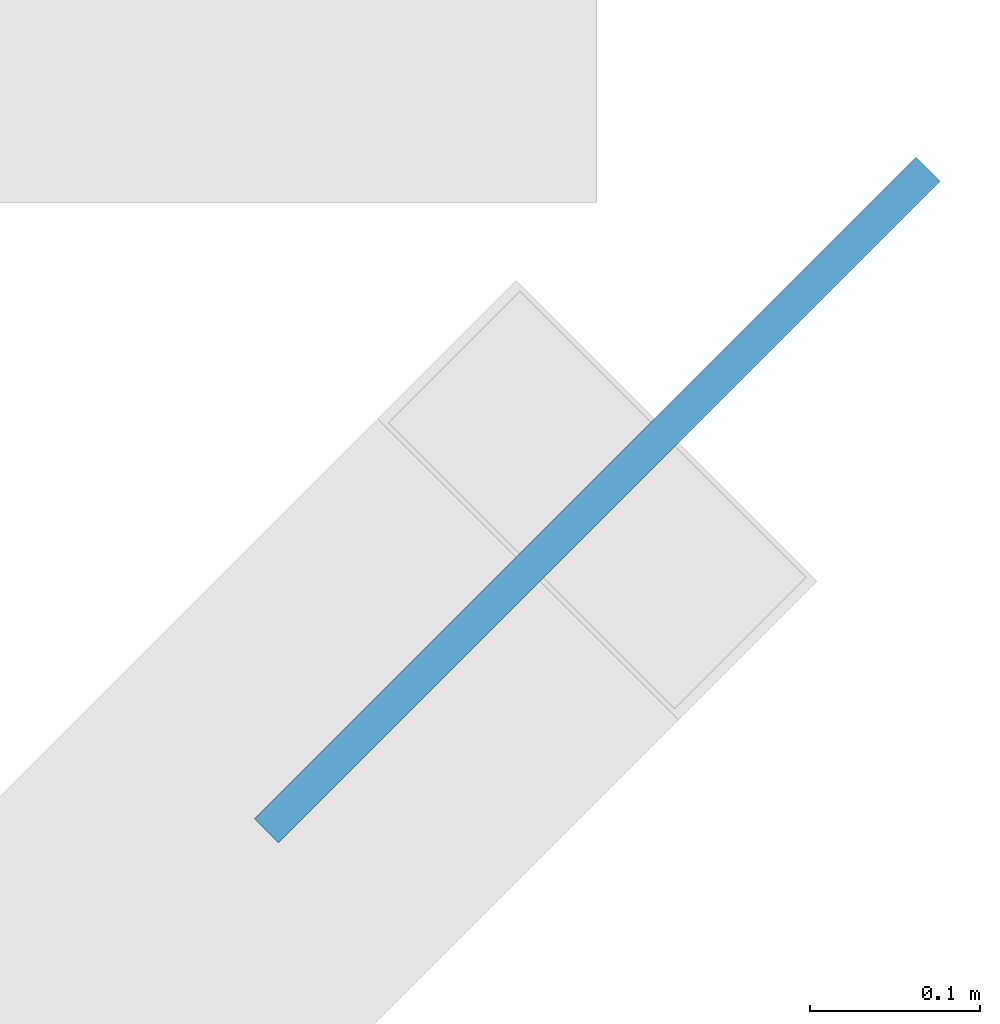
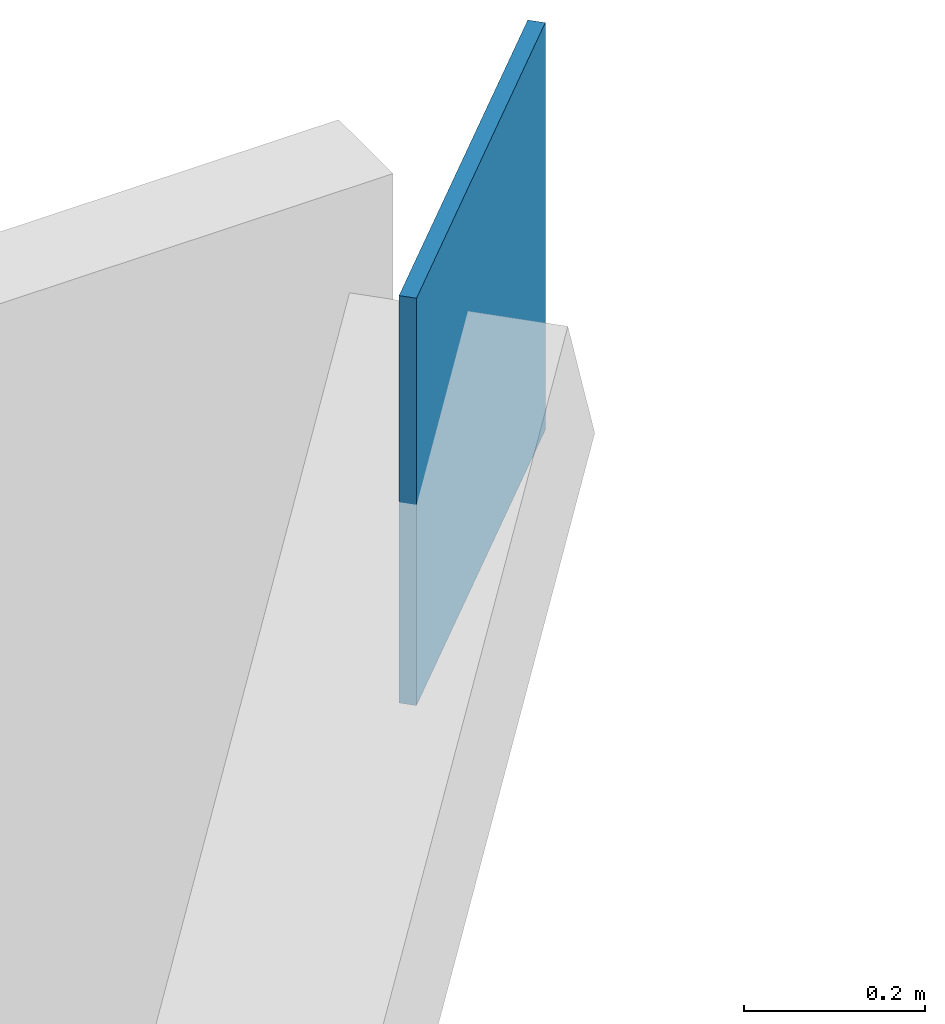
# One storey, part 70 of 85: 1 discrete accessory.
"""IFC4 building model written with IfcOpenShell, lengths in metres."""

import ifcopenshell
import ifcopenshell.guid

model = None  # the IFC model being written
_history = None  # IfcOwnerHistory: only IFC2X3 demands one
_inside = {}  # id of a spatial element -> (the spatial element, [elements in it])
_under = {}  # id of a project, library or spatial element -> (it, [spatial elements below it])
_declared = {}  # id of a project -> (the project, [libraries it declares])
_typed = {}  # id of a type object -> (the type object, [elements of that type])
_made_of = {}  # id of a material, layer set ... -> (it, [elements and type objects made of it])


def new_model(schema):
    """Start an empty IFC model of exactly this schema.

    Asked for "IFC4X3", IfcOpenShell would pick the latest addendum, in which some entities
    have other attributes; the version numbers below select the first issue.
    IFC2X3 requires an IfcOwnerHistory on every rooted entity: one is made here for all.
    """
    global model, _history
    if schema == "IFC4X3":
        model = ifcopenshell.file(schema_version=(4, 3, 0, 0))
    else:
        model = ifcopenshell.file(schema=schema)
    _inside.clear()
    _under.clear()
    _declared.clear()
    _typed.clear()
    _made_of.clear()
    _history = None
    if model.schema == "IFC2X3":
        org = make("IfcOrganization", Name="unknown")
        user = make(
            "IfcPersonAndOrganization",
            ThePerson=make("IfcPerson", FamilyName="unknown"),
            TheOrganization=org,
        )
        app = make(
            "IfcApplication",
            ApplicationDeveloper=org,
            Version="unknown",
            ApplicationFullName="unknown",
            ApplicationIdentifier="unknown",
        )
        _history = make(
            "IfcOwnerHistory",
            OwningUser=user,
            OwningApplication=app,
            ChangeAction="ADDED",
            CreationDate=0,
        )
    return model


def make(cls, **values):
    """One entity of the class cls with the attributes given. An attribute that is None is left unset."""
    return model.create_entity(
        cls, **{name: value for name, value in values.items() if value is not None}
    )


def rooted(cls, **values):
    """An entity with a GlobalId (a new one), such as an element, a storey or a relation."""
    return make(cls, GlobalId=ifcopenshell.guid.new(), OwnerHistory=_history, **values)


def si_unit(unit_type, name, prefix=None):
    """IfcSIUnit, for example si_unit("LENGTHUNIT", "METRE", prefix="MILLI")."""
    return make("IfcSIUnit", UnitType=unit_type, Prefix=prefix, Name=name)


def assignment(units):
    """IfcUnitAssignment: the units of a project."""
    return None if units is None else make("IfcUnitAssignment", Units=units)


def point(xyz):
    """IfcCartesianPoint."""
    return None if xyz is None else make("IfcCartesianPoint", Coordinates=xyz)


def direction(xyz):
    """IfcDirection."""
    return None if xyz is None else make("IfcDirection", DirectionRatios=xyz)


def frame(location, z_axis=None, x_axis=None):
    """IfcAxis2Placement3D, a coordinate frame: its origin and axes. An axis left out is left unset."""
    return make(
        "IfcAxis2Placement3D",
        Location=point(location),
        Axis=direction(z_axis),
        RefDirection=direction(x_axis),
    )


def frame_2d(location, x_axis=None):
    """IfcAxis2Placement2D, a coordinate frame in the plane: its origin and x axis."""
    return make(
        "IfcAxis2Placement2D", Location=point(location), RefDirection=direction(x_axis)
    )


def origin():
    """The frame at (0, 0, 0) with its axes left unset."""
    return frame((0.0, 0.0, 0.0))


def origin_2d():
    """The frame at (0, 0) in the plane with its x axis left unset."""
    return frame_2d((0.0, 0.0))


def place(relative_to, where):
    """IfcLocalPlacement: puts the frame where relative to a parent placement (None: the world)."""
    return make(
        "IfcLocalPlacement", PlacementRelTo=relative_to, RelativePlacement=where
    )


def context(
    kind, dimensions, precision=None, world=None, true_north=None, identifier=None
):
    """IfcGeometricRepresentationContext, for example the 3D "Model" context."""
    return make(
        "IfcGeometricRepresentationContext",
        ContextIdentifier=identifier,
        ContextType=kind,
        CoordinateSpaceDimension=dimensions,
        Precision=precision,
        WorldCoordinateSystem=world,
        TrueNorth=true_north,
    )


def subcontext(parent, identifier, kind, view, scale=None):
    """IfcGeometricRepresentationSubContext, for example "Body" below "Model"."""
    return make(
        "IfcGeometricRepresentationSubContext",
        ContextIdentifier=identifier,
        ContextType=kind,
        ParentContext=parent,
        TargetScale=scale,
        TargetView=view,
    )


def project(units=None, contexts=None):
    """IfcProject with its units and contexts."""
    return rooted(
        "IfcProject",
        Name="project",
        RepresentationContexts=contexts,
        UnitsInContext=assignment(units),
    )


def spatial(cls, under=None, at=None, **own):
    """A site, building, storey or space (cls), placed at a placement, below another one or the project."""
    s = rooted(cls, ObjectPlacement=at, **own)
    if under is not None:
        _under.setdefault(under.id(), (under, []))[1].append(s)
    return s


def profile(cls, at=None, kind="AREA", **sizes):
    """A parametric profile (cls). Its sizes go by their IFC names, for example OverallWidth=200.0."""
    return make(cls, ProfileType=kind, Position=at, **sizes)


def rectangle(**sizes):
    """IfcRectangleProfileDef."""
    return profile("IfcRectangleProfileDef", **sizes)


def extrude(swept, where, along, depth):
    """IfcExtrudedAreaSolid: the profile swept, set in the frame where, extruded along a direction by depth."""
    return make(
        "IfcExtrudedAreaSolid",
        SweptArea=swept,
        Position=where,
        ExtrudedDirection=direction(along),
        Depth=depth,
    )


def shape(context_of_items, identifier, shape_type, items):
    """IfcShapeRepresentation: the items that make up one representation, for example the "Body"."""
    return make(
        "IfcShapeRepresentation",
        ContextOfItems=context_of_items,
        RepresentationIdentifier=identifier,
        RepresentationType=shape_type,
        Items=items,
    )


def material(Name=None, Category=None):
    """IfcMaterial."""
    return make("IfcMaterial", Name=Name, Category=Category)


def layer(
    of_material, thickness, ventilated=None, Name=None, Category=None, Priority=None
):
    """IfcMaterialLayer: one layer of a wall or slab, of a material (None: an air gap)."""
    return make(
        "IfcMaterialLayer",
        Material=of_material,
        LayerThickness=thickness,
        IsVentilated=ventilated,
        Name=Name,
        Category=Category,
        Priority=Priority,
    )


def layer_set(layers, Name=None):
    """IfcMaterialLayerSet."""
    return make("IfcMaterialLayerSet", MaterialLayers=layers, LayerSetName=Name)


def made_of(thing, what):
    """Note that an element or type object is made of a material, layer set ...; save() writes the relation."""
    if what is not None:
        _made_of.setdefault(what.id(), (what, []))[1].append(thing)
    return thing


def type_object(cls, material=None, **own):
    """A type object (cls), such as IfcWallType, which elements share."""
    return made_of(rooted(cls, **own), material)


def element(
    cls,
    number,
    at=None,
    inside=None,
    cuts=None,
    type_object=None,
    material=None,
    context=None,
    identifier="Body",
    shape_type=None,
    held_by="IfcProductDefinitionShape",
    body=None,
    shapes=None,
    **own,
):
    """One element of the class cls, such as IfcWall. Its Tag is "e" and its number.

    at: its placement. inside: the storey or other place that contains it. cuts: it is an
    opening in that element (IfcRelVoidsElement). A single representation is given by context,
    identifier, shape_type and body (its items); several are given by shapes. held_by: the class
    of the entity that holds the representations. save() writes the other relations.
    """
    e = rooted(cls, Tag="e%d" % number, ObjectPlacement=at, **own)
    if body is not None:
        shapes = [shape(context, identifier, shape_type, body)]
    if shapes is not None:
        e.Representation = make(held_by, Representations=shapes)
    if inside is not None:
        _inside.setdefault(inside.id(), (inside, []))[1].append(e)
    if cuts is not None:
        rooted(
            "IfcRelVoidsElement", RelatingBuildingElement=cuts, RelatedOpeningElement=e
        )
    if type_object is not None:
        _typed.setdefault(type_object.id(), (type_object, []))[1].append(e)
    return made_of(e, material)


def aggregate(whole, parts):
    """IfcRelAggregates: a whole, such as a stair, and the parts it consists of."""
    return rooted("IfcRelAggregates", RelatingObject=whole, RelatedObjects=parts)


def save(model, path):
    """Write the relations noted so far, then the file.

    IfcRelAggregates (storeys below a building ...), IfcRelContainedInSpatialStructure (elements
    in a storey), IfcRelDefinesByType, IfcRelAssociatesMaterial and IfcRelDeclares: one each for
    every whole, place, type object, material and project.
    """
    for whole, parts in _under.values():
        aggregate(whole, parts)
    for where, things in _inside.values():
        rooted(
            "IfcRelContainedInSpatialStructure",
            RelatedElements=things,
            RelatingStructure=where,
        )
    for kind, things in _typed.values():
        rooted("IfcRelDefinesByType", RelatedObjects=things, RelatingType=kind)
    for what, things in _made_of.values():
        rooted("IfcRelAssociatesMaterial", RelatedObjects=things, RelatingMaterial=what)
    for by, libraries in _declared.values():
        rooted("IfcRelDeclares", RelatingContext=by, RelatedDefinitions=libraries)
    model.write(path)


model = new_model("IFC4")

# Units and contexts
model_context = context("Model", 3, precision=1e-05, world=origin(), true_north=direction((0.0, 1.0)))
body_context = subcontext(model_context, "Body", "Model", "MODEL_VIEW")
ifc_project = project(units=[si_unit("LENGTHUNIT", "METRE"), si_unit("AREAUNIT", "SQUARE_METRE"), si_unit("VOLUMEUNIT", "CUBIC_METRE"), si_unit("PLANEANGLEUNIT", "RADIAN"), si_unit("MASSUNIT", "GRAM", prefix="KILO")], contexts=[model_context])

# Site, building, storey
site_placement = place(None, origin())
site = spatial("IfcSite", under=ifc_project, at=site_placement, CompositionType="ELEMENT")
building_placement = place(site_placement, origin())
building = spatial("IfcBuilding", under=site, at=building_placement, Name="Rain Tree Exposition and Congress Centre", CompositionType="ELEMENT")
storey_placement = place(building_placement, frame((0.0, 0.0, 15.0)))
storey = spatial("IfcBuildingStorey", under=building, at=storey_placement, Name="L03", CompositionType="ELEMENT", Elevation=15.0)

# Discrete accessory
ifc_material = material(Name="Steel plate S355J2", Category="steel")
ifc_layer = layer(ifc_material, 0.02001953125)
ifc_layer_set = layer_set([ifc_layer], Name="Steel plate S355J2")
discrete_accessory_type = type_object("IfcDiscreteAccessoryType", Name="Brace node plate 550x550x20", PredefinedType="BRACKET", material=ifc_layer_set)
discrete_accessory_placement = place(storey_placement, frame((243.60009765625, 201.60009765625, 4.5751953125), z_axis=(0.0, 0.0, 1.0), x_axis=(-0.707106781187, -0.707106781187, 0.0)))
element("IfcDiscreteAccessory", 1, at=discrete_accessory_placement, inside=storey, type_object=discrete_accessory_type, Name="Brace node plate 550", PredefinedType="BRACKET", context=body_context, shape_type="SweptSolid", body=[
    extrude(rectangle(XDim=0.550048828125, YDim=0.02001953125, at=origin_2d()), origin(), (0.0, 0.0, 1.0), 0.550048828125),
])

save(model, "model.ifc")
